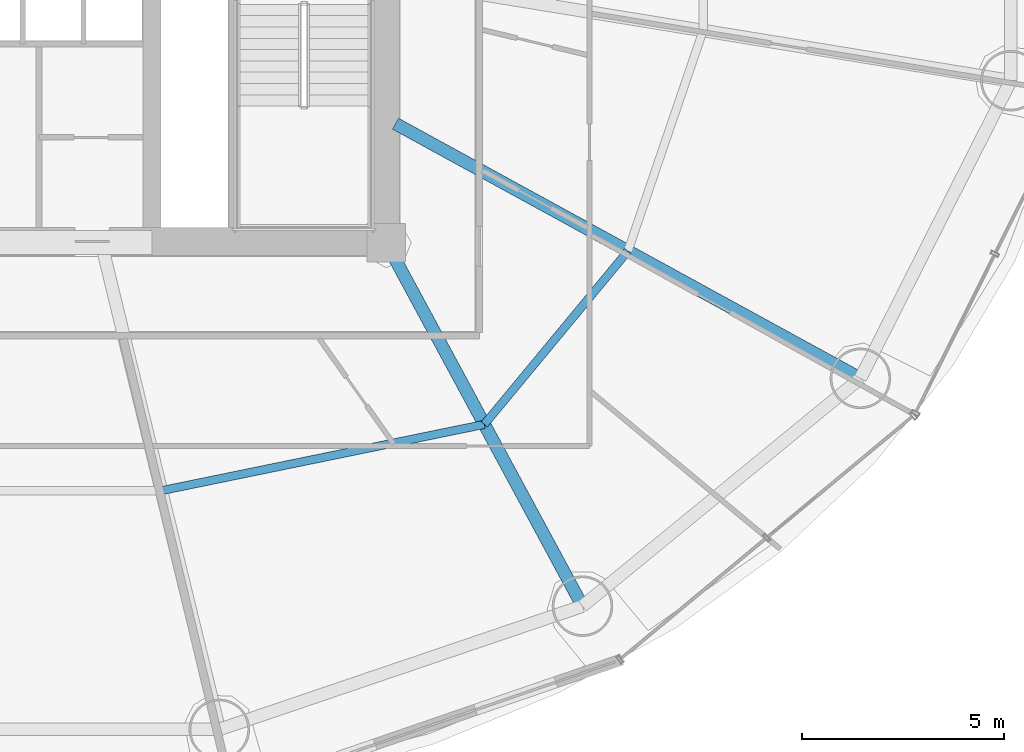
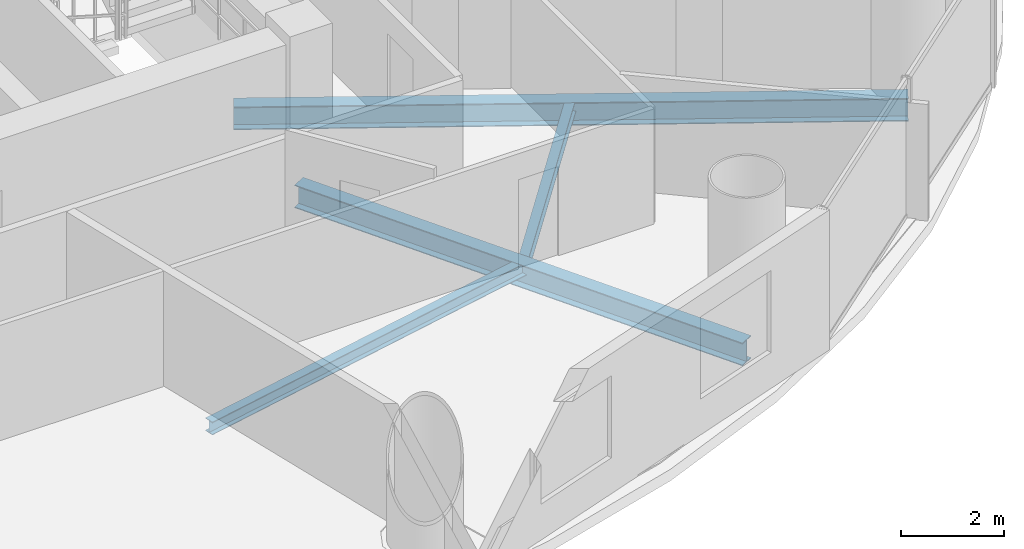
# One storey, part 12 of 29: 4 beams.
"""IFC4 building model written with IfcOpenShell, lengths in metres."""

from ifc_helpers import new_model, si_unit, direction, frame, origin, origin_2d, place, context, subcontext, project, spatial, i_section, extrude, material, material_profile, profile_set, type_object, element, save


model = new_model("IFC4")

# Units and contexts
model_context = context("Model", 3, precision=1e-05, world=origin(), true_north=direction((-0.2419218956, 0.970295726276)))
body_context = subcontext(model_context, "Body", "Model", "MODEL_VIEW")
ifc_project = project(units=[si_unit("LENGTHUNIT", "METRE"), si_unit("AREAUNIT", "SQUARE_METRE"), si_unit("VOLUMEUNIT", "CUBIC_METRE"), si_unit("PLANEANGLEUNIT", "RADIAN"), si_unit("MASSUNIT", "GRAM", prefix="KILO")], contexts=[model_context])

# Site, building, storey
site_placement = place(None, origin())
site = spatial("IfcSite", under=ifc_project, at=site_placement, CompositionType="ELEMENT")
building_placement = place(site_placement, origin())
building = spatial("IfcBuilding", under=site, at=building_placement, Name="Cobrevalo Terracotta Tower", CompositionType="ELEMENT")
storey_placement = place(building_placement, frame((0.0, 0.0, 83.39990234375)))
storey = spatial("IfcBuildingStorey", under=building, at=storey_placement, Name="L21", CompositionType="ELEMENT", Elevation=83.39990234375)

# Beams
ifc_material = material(Name="Steel S355", Category="steel")
ifc_material_profile_1 = material_profile(ifc_material, i_section(OverallWidth=0.31201171875, OverallDepth=0.54296875, WebThickness=0.0126953125, FlangeThickness=0.020263671875, at=origin_2d()), Name="W 530x150")
ifc_profile_set_1 = profile_set([ifc_material_profile_1], Name="Steel S355")
beam_type_1 = type_object("IfcBeamType", Name="Structural Beam W 530x150 (Steel S355)", PredefinedType="BEAM", material=ifc_profile_set_1)
beam_1_placement = place(storey_placement, frame((51.861572265625, 9.79638671875, -0.54638671875), z_axis=(-0.475118249298, 0.879921956303, 0.0), x_axis=(-0.879921956303, -0.475118249298, 0.0)))
element("IfcBeam", 1, at=beam_1_placement, inside=storey, type_object=beam_type_1, Name="L21 radial floor girder 14", PredefinedType="BEAM", context=body_context, shape_type="SweptSolid", body=[
    extrude(i_section(OverallWidth=0.31201171875, OverallDepth=0.54296875, WebThickness=0.0126953125, FlangeThickness=0.020263671875, at=origin_2d()), origin(), (0.0, 0.0, 1.0), 10.232421875),
])
beam_2_placement = place(storey_placement, frame((58.7451171875, 15.4384765625, -0.54638671875), z_axis=(-0.877072765004, 0.480357538599, 0.0), x_axis=(-0.480357538599, -0.877072765004, 0.0)))
element("IfcBeam", 2, at=beam_2_placement, inside=storey, type_object=beam_type_1, Name="L21 radial floor girder 15", PredefinedType="BEAM", context=body_context, shape_type="SweptSolid", body=[
    extrude(i_section(OverallWidth=0.31201171875, OverallDepth=0.54296875, WebThickness=0.0126953125, FlangeThickness=0.020263671875, at=origin_2d()), origin(), (0.0, 0.0, 1.0), 13.129150390625),
])
ifc_material_profile_2 = material_profile(ifc_material, i_section(OverallWidth=0.2041015625, OverallDepth=0.305908203125, WebThickness=0.008544921875, FlangeThickness=0.0146484375, at=origin_2d()), Name="W 310x67")
ifc_profile_set_2 = profile_set([ifc_material_profile_2], Name="Steel S355")
beam_type_2 = type_object("IfcBeamType", Name="Structural Joist W 310x67 (Steel S355)", PredefinedType="JOIST", material=ifc_profile_set_2)
beam_3_placement = place(storey_placement, frame((41.432373046875, 12.656494140625, -0.427978515625), z_axis=(0.979574469315, 0.201081722357, 0.0), x_axis=(-0.201081722357, 0.979574469315, 0.0)))
element("IfcBeam", 3, at=beam_3_placement, inside=storey, type_object=beam_type_2, Name="L21 circumferential secondary floor joist 13", PredefinedType="JOIST", context=body_context, shape_type="SweptSolid", body=[
    extrude(i_section(OverallWidth=0.2041015625, OverallDepth=0.305908203125, WebThickness=0.008544921875, FlangeThickness=0.0146484375, at=origin_2d()), origin(), (0.0, 0.0, 1.0), 8.1650390625),
])
beam_4_placement = place(storey_placement, frame((49.4306640625, 14.29833984375, -0.427978515625), z_axis=(0.6379592588, 0.77007011636, 0.0), x_axis=(-0.77007011636, 0.6379592588, 0.0)))
element("IfcBeam", 4, at=beam_4_placement, inside=storey, type_object=beam_type_2, Name="L21 circumferential secondary floor joist 14", PredefinedType="JOIST", context=body_context, shape_type="SweptSolid", body=[
    extrude(i_section(OverallWidth=0.2041015625, OverallDepth=0.305908203125, WebThickness=0.008544921875, FlangeThickness=0.0146484375, at=origin_2d()), origin(), (0.0, 0.0, 1.0), 5.575439453125),
])

save(model, "model.ifc")
